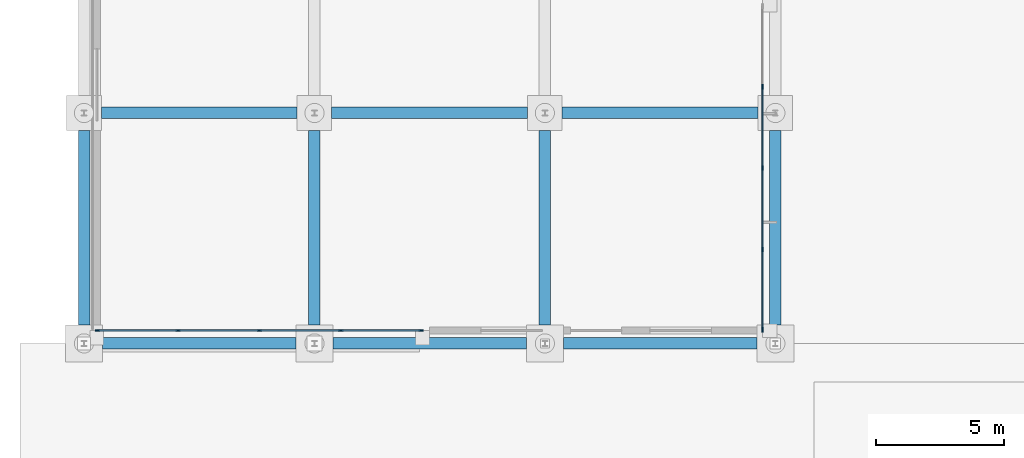
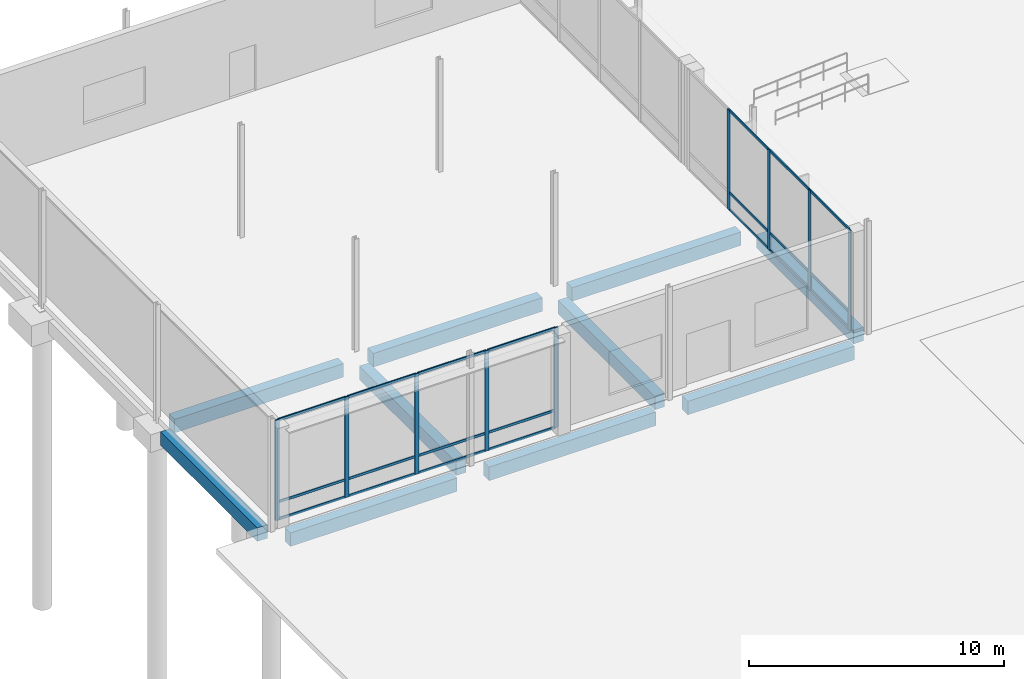
# One storey, part 49 of 180: 30 members, 10 beams, 2 elements without a shape of their own.
"""IFC4 building model written with IfcOpenShell, lengths in metres."""

from ifc_helpers import new_model, si_unit, direction, frame, origin, origin_2d, place, context, subcontext, project, spatial, rectangle, extrude, material, material_profile, profile_set, type_object, element, aggregate, save


model = new_model("IFC4")

# Units and contexts
model_context = context("Model", 3, precision=1e-05, world=origin(), true_north=direction((0.0, 1.0)))
body_context = subcontext(model_context, "Body", "Model", "MODEL_VIEW")
ifc_project = project(units=[si_unit("LENGTHUNIT", "METRE"), si_unit("AREAUNIT", "SQUARE_METRE"), si_unit("VOLUMEUNIT", "CUBIC_METRE"), si_unit("PLANEANGLEUNIT", "RADIAN"), si_unit("MASSUNIT", "GRAM", prefix="KILO"), si_unit("THERMODYNAMICTEMPERATUREUNIT", "KELVIN"), si_unit("POWERUNIT", "WATT")], contexts=[model_context])

# Site, building, storey
site_placement = place(None, origin())
site = spatial("IfcSite", under=ifc_project, at=site_placement, CompositionType="ELEMENT")
building_placement = place(site_placement, origin())
building = spatial("IfcBuilding", under=site, at=building_placement, Name="Tallowbark Science Centre", CompositionType="ELEMENT")
storey_placement = place(building_placement, origin())
storey = spatial("IfcBuildingStorey", under=building, at=storey_placement, Name="L00", CompositionType="ELEMENT", Elevation=0.0)

# Beams
ifc_material_1 = material(Name="Concrete Grade N40 (40 MPa)", Category="concrete")
ifc_material_profile_1 = material_profile(ifc_material_1, rectangle(XDim=0.449951171875, YDim=0.64990234375, at=origin_2d()), Name="RC450x650")
ifc_profile_set_1 = profile_set([ifc_material_profile_1], Name="Concrete Grade N40 (40 MPa)")
beam_type = type_object("IfcBeamType", Name="BM-GB2-N40", PredefinedType="BEAM", material=ifc_profile_set_1)
for number, where, z_axis, x_axis, name in (
    (1, (0.72509765625, 81.0, -0.5849609375), (1.0, 0.0, 0.0), (0.0, 1.0, 0.0), "Ground Tie Beam GBT-X-271"),
    (2, (9.72509765625, 81.0, -0.5849609375), (1.0, 0.0, 0.0), (0.0, 1.0, 0.0), "Ground Tie Beam GBT-X-272"),
    (3, (18.72509765625, 81.0, -0.5849609375), (1.0, 0.0, 0.0), (0.0, 1.0, 0.0), "Ground Tie Beam GBT-X-273"),
):
    element("IfcBeam", number, at=place(storey_placement, frame(where, z_axis=z_axis, x_axis=x_axis)), inside=storey, type_object=beam_type, Name=name, PredefinedType="BEAM", context=body_context, shape_type="SweptSolid", body=[
        extrude(rectangle(XDim=0.449951171875, YDim=0.64990234375, at=origin_2d()), origin(), (0.0, 0.0, 1.0), 7.5498046875),
    ])
for number, where, z_axis, x_axis, name in (
    (4, (0.675048828125, 90.0, -0.5849609375), (1.0, 0.0, 0.0), (0.0, 1.0, 0.0), "Ground Tie Beam GBT-X-275"),
    (5, (9.675048828125, 90.0, -0.5849609375), (1.0, 0.0, 0.0), (0.0, 1.0, 0.0), "Ground Tie Beam GBT-X-276"),
    (6, (18.675048828125, 90.0, -0.5849609375), (1.0, 0.0, 0.0), (0.0, 1.0, 0.0), "Ground Tie Beam GBT-X-277"),
):
    element("IfcBeam", number, at=place(storey_placement, frame(where, z_axis=z_axis, x_axis=x_axis)), inside=storey, type_object=beam_type, Name=name, PredefinedType="BEAM", context=body_context, shape_type="SweptSolid", body=[
        extrude(rectangle(XDim=0.449951171875, YDim=0.64990234375, at=origin_2d()), origin(), (0.0, 0.0, 1.0), 7.64990234375),
    ])
for number, where, z_axis, x_axis, name in (
    (7, (0.0, 81.72509765625, -0.5849609375), (0.0, 1.0, 0.0), (-1.0, 0.0, 0.0), "Ground Tie Beam GBT-Y-356"),
    (8, (9.0, 81.72509765625, -0.5849609375), (0.0, 1.0, 0.0), (-1.0, 0.0, 0.0), "Ground Tie Beam GBT-Y-359"),
    (9, (18.0, 81.72509765625, -0.5849609375), (0.0, 1.0, 0.0), (-1.0, 0.0, 0.0), "Ground Tie Beam GBT-Y-362"),
    (10, (27.0, 81.72509765625, -0.5849609375), (0.0, 1.0, 0.0), (-1.0, 0.0, 0.0), "Ground Tie Beam GBT-Y-365"),
):
    element("IfcBeam", number, at=place(storey_placement, frame(where, z_axis=z_axis, x_axis=x_axis)), inside=storey, type_object=beam_type, Name=name, PredefinedType="BEAM", context=body_context, shape_type="SweptSolid", body=[
        extrude(rectangle(XDim=0.449951171875, YDim=0.64990234375, at=origin_2d()), origin(), (0.0, 0.0, 1.0), 7.599853515625),
    ])

# Curtain wall, members
ifc_material_2 = material(Name="Unitised Thermally Broken Aluminium and Low-E Double Glazing", Category="aluminium")
curtain_wall_type = type_object("IfcCurtainWallType", Name="CW-SYS-FACADE", PredefinedType="NOTDEFINED", material=ifc_material_2)
curtain_wall_1_placement = place(storey_placement, origin())
curtain_wall_1 = element("IfcCurtainWall", 11, at=curtain_wall_1_placement, inside=storey, type_object=curtain_wall_type, Name="Unitised Curtain Wall PRK-S-1 CW-L00-200", PredefinedType="NOTDEFINED")
ifc_material_3 = material(Name="Anodised Architectural Aluminium Alloy 6063-T6", Category="aluminium")
ifc_material_profile_2 = material_profile(ifc_material_3, rectangle(XDim=0.06494140625, YDim=0.179931640625, at=origin_2d()), Name="ALU65x180")
ifc_profile_set_2 = profile_set([ifc_material_profile_2], Name="Anodised Architectural Aluminium Alloy 6063-T6")
member_type_1 = type_object("IfcMemberType", Name="CWM-MUL-220", PredefinedType="MULLION", material=ifc_profile_set_2)
member_1_placement = place(storey_placement, frame((0.532470703125, 81.5, 0.0), z_axis=(0.0, 0.0, 1.0), x_axis=(0.0, 1.0, 0.0)))
member_1 = element("IfcMember", 12, at=member_1_placement, type_object=member_type_1, Name="CW-01 mullion 1", PredefinedType="MULLION", context=body_context, shape_type="SweptSolid", body=[
    extrude(rectangle(XDim=0.06494140625, YDim=0.179931640625, at=origin_2d()), origin(), (0.0, 0.0, 1.0), 4.800048828125),
])
member_2_placement = place(storey_placement, frame((3.675048828125, 81.5, 0.0), z_axis=(0.0, 0.0, 1.0), x_axis=(0.0, 1.0, 0.0)))
member_2 = element("IfcMember", 13, at=member_2_placement, type_object=member_type_1, Name="CW-01 mullion 2", PredefinedType="MULLION", context=body_context, shape_type="SweptSolid", body=[
    extrude(rectangle(XDim=0.06494140625, YDim=0.179931640625, at=origin_2d()), origin(), (0.0, 0.0, 1.0), 4.800048828125),
])
member_3_placement = place(storey_placement, frame((6.85009765625, 81.5, 0.0), z_axis=(0.0, 0.0, 1.0), x_axis=(0.0, 1.0, 0.0)))
member_3 = element("IfcMember", 14, at=member_3_placement, type_object=member_type_1, Name="CW-01 mullion 3", PredefinedType="MULLION", context=body_context, shape_type="SweptSolid", body=[
    extrude(rectangle(XDim=0.06494140625, YDim=0.179931640625, at=origin_2d()), origin(), (0.0, 0.0, 1.0), 4.800048828125),
])
member_4_placement = place(storey_placement, frame((10.02490234375, 81.5, 0.0), z_axis=(0.0, 0.0, 1.0), x_axis=(0.0, 1.0, 0.0)))
member_4 = element("IfcMember", 15, at=member_4_placement, type_object=member_type_1, Name="CW-01 mullion 4", PredefinedType="MULLION", context=body_context, shape_type="SweptSolid", body=[
    extrude(rectangle(XDim=0.06494140625, YDim=0.179931640625, at=origin_2d()), origin(), (0.0, 0.0, 1.0), 4.800048828125),
])
member_5_placement = place(storey_placement, frame((13.16748046875, 81.5, 0.0), z_axis=(0.0, 0.0, 1.0), x_axis=(0.0, 1.0, 0.0)))
member_5 = element("IfcMember", 16, at=member_5_placement, type_object=member_type_1, Name="CW-01 mullion 5", PredefinedType="MULLION", context=body_context, shape_type="SweptSolid", body=[
    extrude(rectangle(XDim=0.06494140625, YDim=0.179931640625, at=origin_2d()), origin(), (0.0, 0.0, 1.0), 4.800048828125),
])

curtain_wall_2_placement = place(storey_placement, origin())
curtain_wall_2 = element("IfcCurtainWall", 17, at=curtain_wall_2_placement, inside=storey, type_object=curtain_wall_type, Name="Unitised Curtain Wall PRK-E-1 CW-L00-201", PredefinedType="NOTDEFINED")
member_6_placement = place(storey_placement, frame((26.5, 81.532470703125, 0.0), z_axis=(0.0, 0.0, 1.0), x_axis=(-1.0, 0.0, 0.0)))
member_6 = element("IfcMember", 18, at=member_6_placement, type_object=member_type_1, Name="CW-01 mullion 1", PredefinedType="MULLION", context=body_context, shape_type="SweptSolid", body=[
    extrude(rectangle(XDim=0.06494140625, YDim=0.179931640625, at=origin_2d()), origin(), (0.0, 0.0, 1.0), 4.800048828125),
])
member_7_placement = place(storey_placement, frame((26.5, 84.675048828125, 0.0), z_axis=(0.0, 0.0, 1.0), x_axis=(-1.0, 0.0, 0.0)))
member_7 = element("IfcMember", 19, at=member_7_placement, type_object=member_type_1, Name="CW-01 mullion 2", PredefinedType="MULLION", context=body_context, shape_type="SweptSolid", body=[
    extrude(rectangle(XDim=0.06494140625, YDim=0.179931640625, at=origin_2d()), origin(), (0.0, 0.0, 1.0), 4.800048828125),
])
member_8_placement = place(storey_placement, frame((26.5, 87.85009765625, 0.0), z_axis=(0.0, 0.0, 1.0), x_axis=(-1.0, 0.0, 0.0)))
member_8 = element("IfcMember", 20, at=member_8_placement, type_object=member_type_1, Name="CW-01 mullion 3", PredefinedType="MULLION", context=body_context, shape_type="SweptSolid", body=[
    extrude(rectangle(XDim=0.06494140625, YDim=0.179931640625, at=origin_2d()), origin(), (0.0, 0.0, 1.0), 4.800048828125),
])
member_9_placement = place(storey_placement, frame((26.5, 91.02490234375, 0.0), z_axis=(0.0, 0.0, 1.0), x_axis=(-1.0, 0.0, 0.0)))
member_9 = element("IfcMember", 21, at=member_9_placement, type_object=member_type_1, Name="CW-01 mullion 4", PredefinedType="MULLION", context=body_context, shape_type="SweptSolid", body=[
    extrude(rectangle(XDim=0.06494140625, YDim=0.179931640625, at=origin_2d()), origin(), (0.0, 0.0, 1.0), 4.800048828125),
])

# Member
ifc_material_profile_3 = material_profile(ifc_material_3, rectangle(XDim=0.054931640625, YDim=0.1201171875, at=origin_2d()), Name="ALU55x120")
ifc_profile_set_3 = profile_set([ifc_material_profile_3], Name="Anodised Architectural Aluminium Alloy 6063-T6")
member_type_2 = type_object("IfcMemberType", Name="CWM-TRN-150", PredefinedType="USERDEFINED", material=ifc_profile_set_3)
member_10_placement = place(storey_placement, frame((0.56494140625, 81.5, 0.027587890625), z_axis=(1.0, 0.0, 0.0), x_axis=(0.0, 1.0, 0.0)))
member_10 = element("IfcMember", 22, at=member_10_placement, type_object=member_type_2, Name="CW-01 transom 1.1", ObjectType="TRANSOM", PredefinedType="USERDEFINED", context=body_context, shape_type="SweptSolid", body=[
    extrude(rectangle(XDim=0.054931640625, YDim=0.1201171875, at=origin_2d()), origin(), (0.0, 0.0, 1.0), 3.07763671875),
])

member_11_placement = place(storey_placement, frame((0.56494140625, 81.5, 0.85009765625), z_axis=(1.0, 0.0, 0.0), x_axis=(0.0, 1.0, 0.0)))
member_11 = element("IfcMember", 23, at=member_11_placement, type_object=member_type_2, Name="CW-01 transom 1.2", ObjectType="TRANSOM", PredefinedType="USERDEFINED", context=body_context, shape_type="SweptSolid", body=[
    extrude(rectangle(XDim=0.054931640625, YDim=0.1201171875, at=origin_2d()), origin(), (0.0, 0.0, 1.0), 3.07763671875),
])

member_12_placement = place(storey_placement, frame((0.56494140625, 81.5, 4.7724609375), z_axis=(1.0, 0.0, 0.0), x_axis=(0.0, 1.0, 0.0)))
member_12 = element("IfcMember", 24, at=member_12_placement, type_object=member_type_2, Name="CW-01 transom 1.3", ObjectType="TRANSOM", PredefinedType="USERDEFINED", context=body_context, shape_type="SweptSolid", body=[
    extrude(rectangle(XDim=0.054931640625, YDim=0.1201171875, at=origin_2d()), origin(), (0.0, 0.0, 1.0), 3.07763671875),
])

member_13_placement = place(storey_placement, frame((3.70751953125, 81.5, 0.027587890625), z_axis=(1.0, 0.0, 0.0), x_axis=(0.0, 1.0, 0.0)))
member_13 = element("IfcMember", 25, at=member_13_placement, type_object=member_type_2, Name="CW-01 transom 2.1", ObjectType="TRANSOM", PredefinedType="USERDEFINED", context=body_context, shape_type="SweptSolid", body=[
    extrude(rectangle(XDim=0.054931640625, YDim=0.1201171875, at=origin_2d()), origin(), (0.0, 0.0, 1.0), 3.10986328125),
])

member_14_placement = place(storey_placement, frame((3.70751953125, 81.5, 0.85009765625), z_axis=(1.0, 0.0, 0.0), x_axis=(0.0, 1.0, 0.0)))
member_14 = element("IfcMember", 26, at=member_14_placement, type_object=member_type_2, Name="CW-01 transom 2.2", ObjectType="TRANSOM", PredefinedType="USERDEFINED", context=body_context, shape_type="SweptSolid", body=[
    extrude(rectangle(XDim=0.054931640625, YDim=0.1201171875, at=origin_2d()), origin(), (0.0, 0.0, 1.0), 3.10986328125),
])

member_15_placement = place(storey_placement, frame((3.70751953125, 81.5, 4.7724609375), z_axis=(1.0, 0.0, 0.0), x_axis=(0.0, 1.0, 0.0)))
member_15 = element("IfcMember", 27, at=member_15_placement, type_object=member_type_2, Name="CW-01 transom 2.3", ObjectType="TRANSOM", PredefinedType="USERDEFINED", context=body_context, shape_type="SweptSolid", body=[
    extrude(rectangle(XDim=0.054931640625, YDim=0.1201171875, at=origin_2d()), origin(), (0.0, 0.0, 1.0), 3.10986328125),
])

member_16_placement = place(storey_placement, frame((6.882568359375, 81.5, 0.027587890625), z_axis=(1.0, 0.0, 0.0), x_axis=(0.0, 1.0, 0.0)))
member_16 = element("IfcMember", 28, at=member_16_placement, type_object=member_type_2, Name="CW-01 transom 3.1", ObjectType="TRANSOM", PredefinedType="USERDEFINED", context=body_context, shape_type="SweptSolid", body=[
    extrude(rectangle(XDim=0.054931640625, YDim=0.1201171875, at=origin_2d()), origin(), (0.0, 0.0, 1.0), 3.10986328125),
])

member_17_placement = place(storey_placement, frame((6.882568359375, 81.5, 0.85009765625), z_axis=(1.0, 0.0, 0.0), x_axis=(0.0, 1.0, 0.0)))
member_17 = element("IfcMember", 29, at=member_17_placement, type_object=member_type_2, Name="CW-01 transom 3.2", ObjectType="TRANSOM", PredefinedType="USERDEFINED", context=body_context, shape_type="SweptSolid", body=[
    extrude(rectangle(XDim=0.054931640625, YDim=0.1201171875, at=origin_2d()), origin(), (0.0, 0.0, 1.0), 3.10986328125),
])

member_18_placement = place(storey_placement, frame((6.882568359375, 81.5, 4.7724609375), z_axis=(1.0, 0.0, 0.0), x_axis=(0.0, 1.0, 0.0)))
member_18 = element("IfcMember", 30, at=member_18_placement, type_object=member_type_2, Name="CW-01 transom 3.3", ObjectType="TRANSOM", PredefinedType="USERDEFINED", context=body_context, shape_type="SweptSolid", body=[
    extrude(rectangle(XDim=0.054931640625, YDim=0.1201171875, at=origin_2d()), origin(), (0.0, 0.0, 1.0), 3.10986328125),
])

member_19_placement = place(storey_placement, frame((10.0576171875, 81.5, 0.027587890625), z_axis=(1.0, 0.0, 0.0), x_axis=(0.0, 1.0, 0.0)))
member_19 = element("IfcMember", 31, at=member_19_placement, type_object=member_type_2, Name="CW-01 transom 4.1", ObjectType="TRANSOM", PredefinedType="USERDEFINED", context=body_context, shape_type="SweptSolid", body=[
    extrude(rectangle(XDim=0.054931640625, YDim=0.1201171875, at=origin_2d()), origin(), (0.0, 0.0, 1.0), 3.077392578125),
])

member_20_placement = place(storey_placement, frame((10.0576171875, 81.5, 0.85009765625), z_axis=(1.0, 0.0, 0.0), x_axis=(0.0, 1.0, 0.0)))
member_20 = element("IfcMember", 32, at=member_20_placement, type_object=member_type_2, Name="CW-01 transom 4.2", ObjectType="TRANSOM", PredefinedType="USERDEFINED", context=body_context, shape_type="SweptSolid", body=[
    extrude(rectangle(XDim=0.054931640625, YDim=0.1201171875, at=origin_2d()), origin(), (0.0, 0.0, 1.0), 3.077392578125),
])

member_21_placement = place(storey_placement, frame((10.0576171875, 81.5, 4.7724609375), z_axis=(1.0, 0.0, 0.0), x_axis=(0.0, 1.0, 0.0)))
member_21 = element("IfcMember", 33, at=member_21_placement, type_object=member_type_2, Name="CW-01 transom 4.3", ObjectType="TRANSOM", PredefinedType="USERDEFINED", context=body_context, shape_type="SweptSolid", body=[
    extrude(rectangle(XDim=0.054931640625, YDim=0.1201171875, at=origin_2d()), origin(), (0.0, 0.0, 1.0), 3.077392578125),
])

aggregate(curtain_wall_1, [member_1, member_2, member_3, member_4, member_5, member_10, member_11, member_12, member_13, member_14, member_15, member_16, member_17, member_18, member_19, member_20, member_21])

member_22_placement = place(storey_placement, frame((26.5, 81.56494140625, 0.027587890625), z_axis=(0.0, 1.0, 0.0), x_axis=(-1.0, 0.0, 0.0)))
member_22 = element("IfcMember", 34, at=member_22_placement, type_object=member_type_2, Name="CW-01 transom 1.1", ObjectType="TRANSOM", PredefinedType="USERDEFINED", context=body_context, shape_type="SweptSolid", body=[
    extrude(rectangle(XDim=0.054931640625, YDim=0.1201171875, at=origin_2d()), origin(), (0.0, 0.0, 1.0), 3.07763671875),
])

member_23_placement = place(storey_placement, frame((26.5, 81.56494140625, 0.85009765625), z_axis=(0.0, 1.0, 0.0), x_axis=(-1.0, 0.0, 0.0)))
member_23 = element("IfcMember", 35, at=member_23_placement, type_object=member_type_2, Name="CW-01 transom 1.2", ObjectType="TRANSOM", PredefinedType="USERDEFINED", context=body_context, shape_type="SweptSolid", body=[
    extrude(rectangle(XDim=0.054931640625, YDim=0.1201171875, at=origin_2d()), origin(), (0.0, 0.0, 1.0), 3.07763671875),
])

member_24_placement = place(storey_placement, frame((26.5, 81.56494140625, 4.7724609375), z_axis=(0.0, 1.0, 0.0), x_axis=(-1.0, 0.0, 0.0)))
member_24 = element("IfcMember", 36, at=member_24_placement, type_object=member_type_2, Name="CW-01 transom 1.3", ObjectType="TRANSOM", PredefinedType="USERDEFINED", context=body_context, shape_type="SweptSolid", body=[
    extrude(rectangle(XDim=0.054931640625, YDim=0.1201171875, at=origin_2d()), origin(), (0.0, 0.0, 1.0), 3.07763671875),
])

member_25_placement = place(storey_placement, frame((26.5, 84.70751953125, 0.027587890625), z_axis=(0.0, 1.0, 0.0), x_axis=(-1.0, 0.0, 0.0)))
member_25 = element("IfcMember", 37, at=member_25_placement, type_object=member_type_2, Name="CW-01 transom 2.1", ObjectType="TRANSOM", PredefinedType="USERDEFINED", context=body_context, shape_type="SweptSolid", body=[
    extrude(rectangle(XDim=0.054931640625, YDim=0.1201171875, at=origin_2d()), origin(), (0.0, 0.0, 1.0), 3.10986328125),
])

member_26_placement = place(storey_placement, frame((26.5, 84.70751953125, 0.85009765625), z_axis=(0.0, 1.0, 0.0), x_axis=(-1.0, 0.0, 0.0)))
member_26 = element("IfcMember", 38, at=member_26_placement, type_object=member_type_2, Name="CW-01 transom 2.2", ObjectType="TRANSOM", PredefinedType="USERDEFINED", context=body_context, shape_type="SweptSolid", body=[
    extrude(rectangle(XDim=0.054931640625, YDim=0.1201171875, at=origin_2d()), origin(), (0.0, 0.0, 1.0), 3.10986328125),
])

member_27_placement = place(storey_placement, frame((26.5, 84.70751953125, 4.7724609375), z_axis=(0.0, 1.0, 0.0), x_axis=(-1.0, 0.0, 0.0)))
member_27 = element("IfcMember", 39, at=member_27_placement, type_object=member_type_2, Name="CW-01 transom 2.3", ObjectType="TRANSOM", PredefinedType="USERDEFINED", context=body_context, shape_type="SweptSolid", body=[
    extrude(rectangle(XDim=0.054931640625, YDim=0.1201171875, at=origin_2d()), origin(), (0.0, 0.0, 1.0), 3.10986328125),
])

member_28_placement = place(storey_placement, frame((26.5, 87.882568359375, 0.027587890625), z_axis=(0.0, 1.0, 0.0), x_axis=(-1.0, 0.0, 0.0)))
member_28 = element("IfcMember", 40, at=member_28_placement, type_object=member_type_2, Name="CW-01 transom 3.1", ObjectType="TRANSOM", PredefinedType="USERDEFINED", context=body_context, shape_type="SweptSolid", body=[
    extrude(rectangle(XDim=0.054931640625, YDim=0.1201171875, at=origin_2d()), origin(), (0.0, 0.0, 1.0), 3.10986328125),
])

member_29_placement = place(storey_placement, frame((26.5, 87.882568359375, 0.85009765625), z_axis=(0.0, 1.0, 0.0), x_axis=(-1.0, 0.0, 0.0)))
member_29 = element("IfcMember", 41, at=member_29_placement, type_object=member_type_2, Name="CW-01 transom 3.2", ObjectType="TRANSOM", PredefinedType="USERDEFINED", context=body_context, shape_type="SweptSolid", body=[
    extrude(rectangle(XDim=0.054931640625, YDim=0.1201171875, at=origin_2d()), origin(), (0.0, 0.0, 1.0), 3.10986328125),
])

member_30_placement = place(storey_placement, frame((26.5, 87.882568359375, 4.7724609375), z_axis=(0.0, 1.0, 0.0), x_axis=(-1.0, 0.0, 0.0)))
member_30 = element("IfcMember", 42, at=member_30_placement, type_object=member_type_2, Name="CW-01 transom 3.3", ObjectType="TRANSOM", PredefinedType="USERDEFINED", context=body_context, shape_type="SweptSolid", body=[
    extrude(rectangle(XDim=0.054931640625, YDim=0.1201171875, at=origin_2d()), origin(), (0.0, 0.0, 1.0), 3.10986328125),
])

aggregate(curtain_wall_2, [member_6, member_7, member_8, member_9, member_22, member_23, member_24, member_25, member_26, member_27, member_28, member_29, member_30])

save(model, "model.ifc")
